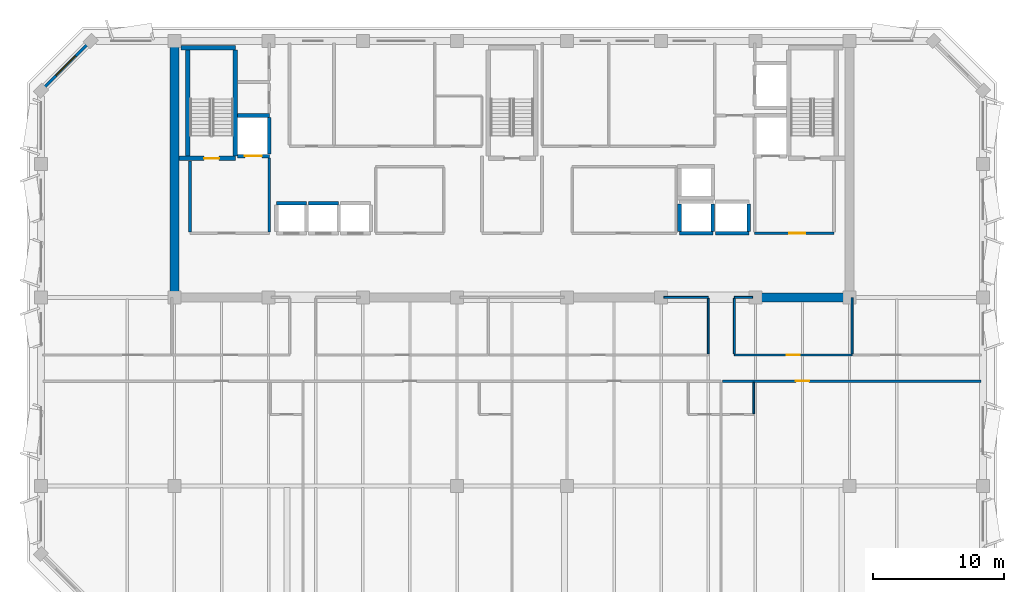
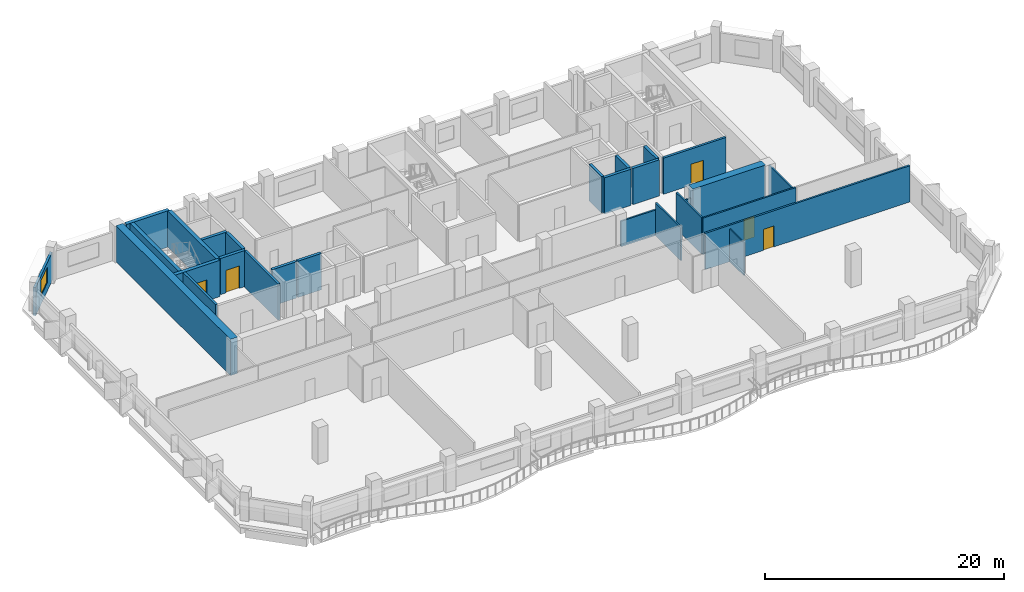
# One storey, part 5 of 11: 28 walls, 5 doors, 1 window, 6 openings.
"""IFC4 building model written with IfcOpenShell, lengths in metres."""

from ifc_helpers import new_model, si_unit, direction, frame, frame_2d, origin, place, context, subcontext, project, spatial, rectangle, extrude, material, layer, layer_set, type_object, element, fill, save


model = new_model("IFC4")

# Units and contexts
model_context = context("Model", 3, precision=1e-05, world=origin(), true_north=direction((0.0, 1.0)))
body_context = subcontext(model_context, "Body", "Model", "MODEL_VIEW")
ifc_project = project(units=[si_unit("LENGTHUNIT", "METRE"), si_unit("AREAUNIT", "SQUARE_METRE"), si_unit("VOLUMEUNIT", "CUBIC_METRE"), si_unit("PLANEANGLEUNIT", "RADIAN"), si_unit("MASSUNIT", "GRAM", prefix="KILO")], contexts=[model_context])

# Site, building, storey
site_placement = place(None, origin())
site = spatial("IfcSite", under=ifc_project, at=site_placement, CompositionType="ELEMENT")
building_placement = place(site_placement, origin())
building = spatial("IfcBuilding", under=site, at=building_placement, Name="Kaelvorn Grand Hotel", CompositionType="ELEMENT")
storey_placement = place(building_placement, frame((0.0, 0.0, 268.64990234375)))
storey = spatial("IfcBuildingStorey", under=building, at=storey_placement, Name="L66", CompositionType="ELEMENT", Elevation=268.64990234375)

# Walls
ifc_material_1 = material(Name="Concrete C50/60", Category="concrete")
ifc_layer_1 = layer(ifc_material_1, 0.699951171875)
ifc_layer_set_1 = layer_set([ifc_layer_1], Name="Concrete C50/60")
wall_type_1 = type_object("IfcWallType", Name="WL-CORE-700-C50", PredefinedType="SHEAR", material=ifc_layer_set_1)
wall_1_placement = place(storey_placement, frame((16.199951171875, 29.39990234375, 0.0), z_axis=(0.0, 0.0, 1.0), x_axis=(0.0, 1.0, 0.0)))
element("IfcWall", 1, at=wall_1_placement, inside=storey, type_object=wall_type_1, Name="L66 Rear-Core West Shear Wall", PredefinedType="SHEAR", context=body_context, shape_type="SweptSolid", body=[
    extrude(rectangle(XDim=19.2001953125, YDim=0.699951171875, at=frame_2d((9.60009765625, 0.0))), origin(), (0.0, 0.0, 1.0), 3.710205078125),
])
wall_2_placement = place(storey_placement, frame((60.39990234375, 29.39990234375, 0.0), z_axis=(0.0, 0.0, 1.0), x_axis=(1.0, 0.0, 0.0)))
element("IfcWall", 2, at=wall_2_placement, inside=storey, type_object=wall_type_1, Name="L66 Rear-Core Coupled Shear Pier S4", PredefinedType="SHEAR", context=body_context, shape_type="SweptSolid", body=[
    extrude(rectangle(XDim=7.045166015625, YDim=0.699951171875, at=frame_2d((3.5224609375, 0.0))), origin(), (0.0, 0.0, 1.0), 3.710205078125),
])

# Wall, opening, window
ifc_material_2 = material(Name="Concrete C40/50", Category="concrete")
ifc_layer_2 = layer(ifc_material_2, 0.219970703125)
ifc_layer_set_2 = layer_set([ifc_layer_2], Name="Concrete C40/50")
wall_type_2 = type_object("IfcWallType", Name="WL-EXT-220-C40", PredefinedType="SOLIDWALL", material=ifc_layer_set_2)
wall_3_placement = place(storey_placement, frame((9.800048828125, 49.0, 0.0), z_axis=(0.0, 0.0, 1.0), x_axis=(-0.707106781187, -0.707106781187, 0.0)))
wall_3 = element("IfcWall", 3, at=wall_3_placement, inside=storey, type_object=wall_type_2, Name="L66 Exterior Architectural Concrete Wall 06", PredefinedType="SOLIDWALL", context=body_context, shape_type="SweptSolid", body=[
    extrude(rectangle(XDim=5.3740234375, YDim=0.219970703125, at=frame_2d((2.68701171875, 0.0))), origin(), (0.0, 0.0, 1.0), 2.91015625),
])
opening_1_placement = place(wall_3_placement, frame((1.636962890625, 0.0, 0.85009765625)))
opening_1 = element("IfcOpeningElement", 4, at=opening_1_placement, cuts=wall_3, Name="Opening W7", PredefinedType="OPENING", context=body_context, shape_type="SweptSolid", body=[
    extrude(rectangle(XDim=2.10009765625, YDim=1.60009765625, at=frame_2d((1.050048828125, 0.800048828125))), frame((0.0, 0.1201171875, 0.0), z_axis=(0.0, -1.0, 0.0), x_axis=(1.0, 0.0, 0.0)), (0.0, 0.0, 1.0), 0.239990234375),
])
ifc_material_3 = material(Name="Laminated Low-E Glass", Category="glass")
window_type = type_object("IfcWindowType", Name="WIN-CHM-2100x1600", PartitioningType="SINGLE_PANEL", PredefinedType="WINDOW", material=ifc_material_3)
window_placement = place(opening_1_placement, origin())
window = element("IfcWindow", 5, at=window_placement, inside=storey, type_object=window_type, Name="L66 Chamfered 45-Degree Corner Window NW", OverallHeight=1.60009765625, OverallWidth=2.10009765625, PartitioningType="SINGLE_PANEL", PredefinedType="WINDOW", context=body_context, shape_type="SweptSolid", body=[
    extrude(rectangle(XDim=2.10009765625, YDim=1.60009765625, at=frame_2d((1.050048828125, 0.800048828125))), frame((0.0, 0.030029296875, 0.0), z_axis=(0.0, -1.0, 0.0), x_axis=(1.0, 0.0, 0.0)), (0.0, 0.0, 1.0), 0.06005859375),
])
fill(opening_1, window)

# Walls
ifc_material_4 = material(Name="Moisture-Resistant Tile & Stud Board")
ifc_layer_3 = layer(ifc_material_4, 0.125)
ifc_layer_set_3 = layer_set([ifc_layer_3], Name="Moisture-Resistant Tile & Stud Board")
wall_type_3 = type_object("IfcWallType", Name="WL-PART-125-WET", PredefinedType="PARTITIONING", material=ifc_layer_set_3)
wall_4_placement = place(storey_placement, frame((60.47509765625, 20.517578125, 0.0), z_axis=(0.0, 0.0, 1.0), x_axis=(0.0, 1.0, 0.0)))
element("IfcWall", 6, at=wall_4_placement, inside=storey, type_object=wall_type_3, Name="L66 En-suite Bathroom L66-04 E Partition", PredefinedType="PARTITIONING", context=body_context, shape_type="SweptSolid", body=[
    extrude(rectangle(XDim=2.387451171875, YDim=0.125, at=frame_2d((1.19384765625, 0.0))), origin(), (0.0, 0.0, 1.0), 3.35009765625),
])
ifc_material_5 = material(Name="Acoustic Gypsum & Stud Partition")
ifc_layer_4 = layer(ifc_material_5, 0.14990234375)
ifc_layer_set_4 = layer_set([ifc_layer_4], Name="Acoustic Gypsum & Stud Partition")
wall_type_4 = type_object("IfcWallType", Name="WL-PART-150-EI60", PredefinedType="PARTITIONING", material=ifc_layer_set_4)
wall_5_placement = place(storey_placement, frame((53.610107421875, 29.39990234375, 0.0), z_axis=(0.0, 0.0, 1.0), x_axis=(1.0, 0.0, 0.0)))
element("IfcWall", 7, at=wall_5_placement, inside=storey, type_object=wall_type_4, Name="L66 Diplomatic Living Room N Partition (2)", PredefinedType="PARTITIONING", context=body_context, shape_type="SweptSolid", body=[
    extrude(rectangle(XDim=3.389892578125, YDim=0.14990234375, at=frame_2d((1.69482421875, 0.0))), origin(), (0.0, 0.0, 1.0), 2.610107421875),
])
wall_6_placement = place(storey_placement, frame((57.0, 25.080078125, 0.0), z_axis=(0.0, 0.0, 1.0), x_axis=(0.0, 1.0, 0.0)))
element("IfcWall", 8, at=wall_6_placement, inside=storey, type_object=wall_type_4, Name="L66 Diplomatic Living Room E Partition", PredefinedType="PARTITIONING", context=body_context, shape_type="SweptSolid", body=[
    extrude(rectangle(XDim=4.239990234375, YDim=0.14990234375, at=frame_2d((2.1201171875, 0.0))), origin(), (0.0, 0.0, 1.0), 3.35009765625),
])

# Wall, opening, door
wall_7_placement = place(storey_placement, frame((59.0, 25.0, 0.0), z_axis=(0.0, 0.0, 1.0), x_axis=(1.0, 0.0, 0.0)))
wall_7 = element("IfcWall", 9, at=wall_7_placement, inside=storey, type_object=wall_type_4, Name="L66 Executive Meeting Room S Partition", PredefinedType="PARTITIONING", context=body_context, shape_type="SweptSolid", body=[
    extrude(rectangle(XDim=9.0, YDim=0.14990234375, at=frame_2d((4.5, 0.0))), origin(), (0.0, 0.0, 1.0), 3.710205078125),
])
opening_2_placement = place(wall_7_placement, frame((4.0, 0.0, 0.0)))
opening_2 = element("IfcOpeningElement", 10, at=opening_2_placement, cuts=wall_7, Name="Opening DI3", PredefinedType="OPENING", context=body_context, shape_type="SweptSolid", body=[
    extrude(rectangle(XDim=1.0, YDim=2.14990234375, at=frame_2d((0.5, 1.074951171875))), frame((0.0, 0.0849609375, 0.0), z_axis=(0.0, -1.0, 0.0), x_axis=(1.0, 0.0, 0.0)), (0.0, 0.0, 1.0), 0.169921875),
])
ifc_material_6 = material(Name="Timber Veneer Fire Leaf", Category="wood")
door_type_1 = type_object("IfcDoorType", Name="DR-INT-GUEST-1000x2150", OperationType="NOTDEFINED", PredefinedType="DOOR", material=ifc_material_6)
door_1_placement = place(opening_2_placement, origin())
door_1 = element("IfcDoor", 11, at=door_1_placement, inside=storey, type_object=door_type_1, Name="L66 Executive Meeting Room Door", OperationType="SINGLE_SWING_LEFT", OverallHeight=2.14990234375, OverallWidth=1.0, PredefinedType="DOOR", context=body_context, shape_type="SweptSolid", body=[
    extrude(rectangle(XDim=1.0, YDim=2.14990234375, at=frame_2d((0.5, 1.074951171875))), frame((0.0, 0.02490234375, 0.0), z_axis=(0.0, -1.0, 0.0), x_axis=(1.0, 0.0, 0.0)), (0.0, 0.0, 1.0), 0.050048828125),
])
fill(opening_2, door_1)

# Walls
wall_8_placement = place(storey_placement, frame((59.0, 29.39990234375, 0.0), z_axis=(0.0, 0.0, 1.0), x_axis=(1.0, 0.0, 0.0)))
element("IfcWall", 12, at=wall_8_placement, inside=storey, type_object=wall_type_4, Name="L66 Executive Meeting Room N Partition", PredefinedType="PARTITIONING", context=body_context, shape_type="SweptSolid", body=[
    extrude(rectangle(XDim=1.389892578125, YDim=0.14990234375, at=frame_2d((0.69482421875, 0.0))), origin(), (0.0, 0.0, 1.0), 2.610107421875),
])
wall_9_placement = place(storey_placement, frame((59.0, 25.080078125, 0.0), z_axis=(0.0, 0.0, 1.0), x_axis=(0.0, 1.0, 0.0)))
element("IfcWall", 13, at=wall_9_placement, inside=storey, type_object=wall_type_4, Name="L66 Executive Meeting Room W Partition", PredefinedType="PARTITIONING", context=body_context, shape_type="SweptSolid", body=[
    extrude(rectangle(XDim=4.239990234375, YDim=0.14990234375, at=frame_2d((2.1201171875, 0.0))), origin(), (0.0, 0.0, 1.0), 3.710205078125),
])
wall_10_placement = place(storey_placement, frame((68.0, 25.080078125, 0.0), z_axis=(0.0, 0.0, 1.0), x_axis=(0.0, 1.0, 0.0)))
element("IfcWall", 14, at=wall_10_placement, inside=storey, type_object=wall_type_4, Name="L66 Executive Meeting Room E Partition", PredefinedType="PARTITIONING", context=body_context, shape_type="SweptSolid", body=[
    extrude(rectangle(XDim=4.309814453125, YDim=0.14990234375, at=frame_2d((2.15478515625, 0.0))), origin(), (0.0, 0.0, 1.0), 3.35009765625),
])

# Wall, opening, door
ifc_layer_5 = layer(ifc_material_5, 0.179931640625)
ifc_layer_set_5 = layer_set([ifc_layer_5], Name="Acoustic Gypsum & Stud Partition")
wall_type_5 = type_object("IfcWallType", Name="WL-PART-180-EI60", PredefinedType="PARTITIONING", material=ifc_layer_set_5)
wall_11_placement = place(storey_placement, frame((58.070068359375, 23.0, 0.0), z_axis=(0.0, 0.0, 1.0), x_axis=(1.0, 0.0, 0.0)))
wall_11 = element("IfcWall", 15, at=wall_11_placement, inside=storey, type_object=wall_type_5, Name="L66 Presidential Sky Suite L66-04 N Partition", PredefinedType="PARTITIONING", context=body_context, shape_type="SweptSolid", body=[
    extrude(rectangle(XDim=19.780029296875, YDim=0.179931640625, at=frame_2d((9.89013671875, 0.0))), origin(), (0.0, 0.0, 1.0), 3.710205078125),
])
opening_3_placement = place(wall_11_placement, frame((5.6298828125, 0.0, 0.0)))
opening_3 = element("IfcOpeningElement", 16, at=opening_3_placement, cuts=wall_11, Name="Opening DI3", PredefinedType="OPENING", context=body_context, shape_type="SweptSolid", body=[
    extrude(rectangle(XDim=1.0, YDim=2.14990234375, at=frame_2d((0.5, 1.074951171875))), frame((0.0, 0.10009765625, 0.0), z_axis=(0.0, -1.0, 0.0), x_axis=(1.0, 0.0, 0.0)), (0.0, 0.0, 1.0), 0.199951171875),
])
door_2_placement = place(opening_3_placement, origin())
door_2 = element("IfcDoor", 17, at=door_2_placement, inside=storey, type_object=door_type_1, Name="L66 Presidential Sky Suite L66-04 Door", OperationType="SINGLE_SWING_RIGHT", OverallHeight=2.14990234375, OverallWidth=1.0, PredefinedType="DOOR", context=body_context, shape_type="SweptSolid", body=[
    extrude(rectangle(XDim=1.0, YDim=2.14990234375, at=frame_2d((0.5, 1.074951171875))), frame((0.0, 0.02490234375, 0.0), z_axis=(0.0, -1.0, 0.0), x_axis=(1.0, 0.0, 0.0)), (0.0, 0.0, 1.0), 0.050048828125),
])
fill(opening_3, door_2)

# Walls
ifc_layer_6 = layer(ifc_material_2, 0.219970703125)
ifc_layer_set_6 = layer_set([ifc_layer_6], Name="Concrete C40/50")
wall_type_6 = type_object("IfcWallType", Name="WL-PART-220-EI120", PredefinedType="PARTITIONING", material=ifc_layer_set_6)
wall_12_placement = place(storey_placement, frame((17.39990234375, 34.4150390625, 0.0), z_axis=(0.0, 0.0, 1.0), x_axis=(0.0, 1.0, 0.0)))
element("IfcWall", 18, at=wall_12_placement, inside=storey, type_object=wall_type_6, Name="L66 Firefighting Lift Lobby 1 W Partition", PredefinedType="PARTITIONING", context=body_context, shape_type="SweptSolid", body=[
    extrude(rectangle(XDim=5.429931640625, YDim=0.219970703125, at=frame_2d((2.71484375, 0.0))), origin(), (0.0, 0.0, 1.0), 3.710205078125),
])
wall_13_placement = place(storey_placement, frame((23.449951171875, 34.4150390625, 0.0), z_axis=(0.0, 0.0, 1.0), x_axis=(0.0, 1.0, 0.0)))
element("IfcWall", 19, at=wall_13_placement, inside=storey, type_object=wall_type_6, Name="L66 Firefighting Lift Lobby 1 E Partition", PredefinedType="PARTITIONING", context=body_context, shape_type="SweptSolid", body=[
    extrude(rectangle(XDim=5.639892578125, YDim=0.219970703125, at=frame_2d((2.81982421875, 0.0))), origin(), (0.0, 0.0, 1.0), 3.710205078125),
])

# Wall, opening, door
wall_14_placement = place(storey_placement, frame((60.550048828125, 34.300048828125, 0.0), z_axis=(0.0, 0.0, 1.0), x_axis=(1.0, 0.0, 0.0)))
wall_14 = element("IfcWall", 20, at=wall_14_placement, inside=storey, type_object=wall_type_6, Name="L66 Firefighting Lift Lobby 2 S Partition", PredefinedType="PARTITIONING", context=body_context, shape_type="SweptSolid", body=[
    extrude(rectangle(XDim=6.050048828125, YDim=0.219970703125, at=frame_2d((3.02490234375, 0.0))), origin(), (0.0, 0.0, 1.0), 3.710205078125),
])
opening_4_placement = place(wall_14_placement, frame((2.64990234375, 0.0, 0.0)))
opening_4 = element("IfcOpeningElement", 21, at=opening_4_placement, cuts=wall_14, Name="Opening DI2", PredefinedType="OPENING", context=body_context, shape_type="SweptSolid", body=[
    extrude(rectangle(XDim=1.199951171875, YDim=2.14990234375, at=frame_2d((0.60009765625, 1.074951171875))), frame((0.0, 0.1201171875, 0.0), z_axis=(0.0, -1.0, 0.0), x_axis=(1.0, 0.0, 0.0)), (0.0, 0.0, 1.0), 0.239990234375),
])
door_type_2 = type_object("IfcDoorType", Name="DR-INT-FFLOB-1200x2150", OperationType="NOTDEFINED", PredefinedType="DOOR", material=ifc_material_6)
door_3_placement = place(opening_4_placement, origin())
door_3 = element("IfcDoor", 22, at=door_3_placement, inside=storey, type_object=door_type_2, Name="L66 Firefighting Lift Lobby 2 Door", OperationType="SINGLE_SWING_RIGHT", OverallHeight=2.14990234375, OverallWidth=1.199951171875, PredefinedType="DOOR", context=body_context, shape_type="SweptSolid", body=[
    extrude(rectangle(XDim=1.199951171875, YDim=2.14990234375, at=frame_2d((0.60009765625, 1.074951171875))), frame((0.0, 0.02490234375, 0.0), z_axis=(0.0, -1.0, 0.0), x_axis=(1.0, 0.0, 0.0)), (0.0, 0.0, 1.0), 0.050048828125),
])
fill(opening_4, door_3)

# Walls
ifc_layer_7 = layer(ifc_material_1, 0.280029296875)
ifc_layer_set_7 = layer_set([ifc_layer_7], Name="Concrete C50/60")
wall_type_7 = type_object("IfcWallType", Name="WL-SHAFT-280-C50", PredefinedType="SHEAR", material=ifc_layer_set_7)
for number, where, z_axis, x_axis, name in (
    (23, (24.0, 36.60009765625, 0.0), (0.0, 0.0, 1.0), (1.0, 0.0, 0.0), "L66 Lift PL-H1 Shaft North Wall"),
    (24, (26.449951171875, 36.60009765625, 0.0), (0.0, 0.0, 1.0), (1.0, 0.0, 0.0), "L66 Lift PL-H2 Shaft North Wall"),
):
    element("IfcWall", number, at=place(storey_placement, frame(where, z_axis=z_axis, x_axis=x_axis)), inside=storey, type_object=wall_type_7, Name=name, PredefinedType="SHEAR", context=body_context, shape_type="SweptSolid", body=[
        extrude(rectangle(XDim=2.300048828125, YDim=0.280029296875, at=frame_2d((1.14990234375, 0.0))), origin(), (0.0, 0.0, 1.0), 3.710205078125),
    ])
wall_15_placement = place(storey_placement, frame((54.800048828125, 34.300048828125, 0.0), z_axis=(0.0, 0.0, 1.0), x_axis=(1.0, 0.0, 0.0)))
element("IfcWall", 25, at=wall_15_placement, inside=storey, type_object=wall_type_7, Name="L66 Lift OL-1 Shaft South Wall", PredefinedType="SHEAR", context=body_context, shape_type="SweptSolid", body=[
    extrude(rectangle(XDim=2.550048828125, YDim=0.280029296875, at=frame_2d((1.27490234375, 0.0))), origin(), (0.0, 0.0, 1.0), 3.710205078125),
])
for number, where, z_axis, x_axis, name in (
    (26, (54.800048828125, 34.445068359375, 0.0), (0.0, 0.0, 1.0), (0.0, 1.0, 0.0), "L66 Lift OL-1 Shaft West Wall"),
    (27, (57.35009765625, 34.445068359375, 0.0), (0.0, 0.0, 1.0), (0.0, 1.0, 0.0), "L66 Lift OL-1 Shaft East Wall"),
):
    element("IfcWall", number, at=place(storey_placement, frame(where, z_axis=z_axis, x_axis=x_axis)), inside=storey, type_object=wall_type_7, Name=name, PredefinedType="SHEAR", context=body_context, shape_type="SweptSolid", body=[
        extrude(rectangle(XDim=2.10986328125, YDim=0.280029296875, at=frame_2d((1.054931640625, 0.0))), origin(), (0.0, 0.0, 1.0), 3.710205078125),
    ])
wall_16_placement = place(storey_placement, frame((57.550048828125, 34.300048828125, 0.0), z_axis=(0.0, 0.0, 1.0), x_axis=(1.0, 0.0, 0.0)))
element("IfcWall", 28, at=wall_16_placement, inside=storey, type_object=wall_type_7, Name="L66 Lift OL-2 Shaft South Wall", PredefinedType="SHEAR", context=body_context, shape_type="SweptSolid", body=[
    extrude(rectangle(XDim=2.550048828125, YDim=0.280029296875, at=frame_2d((1.27490234375, 0.0))), origin(), (0.0, 0.0, 1.0), 3.710205078125),
])
wall_17_placement = place(storey_placement, frame((60.10009765625, 34.445068359375, 0.0), z_axis=(0.0, 0.0, 1.0), x_axis=(0.0, 1.0, 0.0)))
element("IfcWall", 29, at=wall_17_placement, inside=storey, type_object=wall_type_7, Name="L66 Lift OL-2 Shaft East Wall", PredefinedType="SHEAR", context=body_context, shape_type="SweptSolid", body=[
    extrude(rectangle(XDim=2.10986328125, YDim=0.280029296875, at=frame_2d((1.054931640625, 0.0))), origin(), (0.0, 0.0, 1.0), 3.710205078125),
])

# Wall, opening, door
wall_18_placement = place(storey_placement, frame((21.034912109375, 40.199951171875, 0.0), z_axis=(0.0, 0.0, 1.0), x_axis=(1.0, 0.0, 0.0)))
wall_18 = element("IfcWall", 30, at=wall_18_placement, inside=storey, type_object=wall_type_7, Name="L66 Lift FFL1 Shaft South Wall", PredefinedType="SHEAR", context=body_context, shape_type="SweptSolid", body=[
    extrude(rectangle(XDim=2.4150390625, YDim=0.280029296875, at=frame_2d((1.20751953125, 0.0))), origin(), (0.0, 0.0, 1.0), 3.710205078125),
])
opening_5_placement = place(wall_18_placement, frame((0.5400390625, 0.0, 0.0)))
opening_5 = element("IfcOpeningElement", 31, at=opening_5_placement, cuts=wall_18, Name="Opening LD-FFL1", PredefinedType="OPENING", context=body_context, shape_type="SweptSolid", body=[
    extrude(rectangle(XDim=1.300048828125, YDim=2.300048828125, at=frame_2d((0.64990234375, 1.14990234375))), frame((0.0, 0.14990234375, 0.0), z_axis=(0.0, -1.0, 0.0), x_axis=(1.0, 0.0, 0.0)), (0.0, 0.0, 1.0), 0.300048828125),
])
ifc_material_7 = material(Name="Stainless Steel", Category="steel")
door_type_3 = type_object("IfcDoorType", Name="DR-LIFT-SERV-1300x2300", OperationType="DOUBLE_DOOR_SLIDING", PredefinedType="DOOR", material=ifc_material_7)
door_4_placement = place(opening_5_placement, origin())
door_4 = element("IfcDoor", 32, at=door_4_placement, inside=storey, type_object=door_type_3, Name="L66 Lift FFL1 Sliding Landing Door LD-FFL1", OperationType="DOUBLE_DOOR_SLIDING", OverallHeight=2.300048828125, OverallWidth=1.300048828125, PredefinedType="DOOR", context=body_context, shape_type="SweptSolid", body=[
    extrude(rectangle(XDim=1.300048828125, YDim=2.300048828125, at=frame_2d((0.64990234375, 1.14990234375))), frame((0.0, 0.02490234375, 0.0), z_axis=(0.0, -1.0, 0.0), x_axis=(1.0, 0.0, 0.0)), (0.0, 0.0, 1.0), 0.050048828125),
])
fill(opening_5, door_4)

# Walls
wall_19_placement = place(storey_placement, frame((21.034912109375, 43.300048828125, 0.0), z_axis=(0.0, 0.0, 1.0), x_axis=(1.0, 0.0, 0.0)))
element("IfcWall", 33, at=wall_19_placement, inside=storey, type_object=wall_type_7, Name="L66 Lift FFL1 Shaft North Wall", PredefinedType="SHEAR", context=body_context, shape_type="SweptSolid", body=[
    extrude(rectangle(XDim=2.4150390625, YDim=0.280029296875, at=frame_2d((1.20751953125, 0.0))), origin(), (0.0, 0.0, 1.0), 3.710205078125),
])
wall_20_placement = place(storey_placement, frame((23.449951171875, 40.344970703125, 0.0), z_axis=(0.0, 0.0, 1.0), x_axis=(0.0, 1.0, 0.0)))
element("IfcWall", 34, at=wall_20_placement, inside=storey, type_object=wall_type_7, Name="L66 Lift FFL1 Shaft East Wall", PredefinedType="SHEAR", context=body_context, shape_type="SweptSolid", body=[
    extrude(rectangle(XDim=2.81005859375, YDim=0.280029296875, at=frame_2d((1.405029296875, 0.0))), origin(), (0.0, 0.0, 1.0), 3.710205078125),
])

# Wall, opening, door
ifc_material_8 = material(Name="Concrete C60/75", Category="concrete")
ifc_layer_8 = layer(ifc_material_8, 0.35009765625)
ifc_layer_set_8 = layer_set([ifc_layer_8], Name="Concrete C60/75")
wall_type_8 = type_object("IfcWallType", Name="WL-SHAFT-350-C60", PredefinedType="SHEAR", material=ifc_layer_set_8)
wall_21_placement = place(storey_placement, frame((16.554931640625, 40.02490234375, 0.0), z_axis=(0.0, 0.0, 1.0), x_axis=(1.0, 0.0, 0.0)))
wall_21 = element("IfcWall", 35, at=wall_21_placement, inside=storey, type_object=wall_type_8, Name="L66 ST1 Stair Shaft South Wall", PredefinedType="SHEAR", context=body_context, shape_type="SweptSolid", body=[
    extrude(rectangle(XDim=4.300048828125, YDim=0.35009765625, at=frame_2d((2.14990234375, 0.0))), origin(), (0.0, 0.0, 1.0), 3.710205078125),
])
opening_6_placement = place(wall_21_placement, frame((1.909912109375, 0.0, 0.0)))
opening_6 = element("IfcOpeningElement", 36, at=opening_6_placement, cuts=wall_21, Name="Opening DI1", PredefinedType="OPENING", context=body_context, shape_type="SweptSolid", body=[
    extrude(rectangle(XDim=1.14990234375, YDim=2.14990234375, at=frame_2d((0.574951171875, 1.074951171875))), frame((0.0, 0.18505859375, 0.0), z_axis=(0.0, -1.0, 0.0), x_axis=(1.0, 0.0, 0.0)), (0.0, 0.0, 1.0), 0.3701171875),
])
door_type_4 = type_object("IfcDoorType", Name="DR-INT-STAIR-1150x2150", OperationType="NOTDEFINED", PredefinedType="DOOR", material=ifc_material_6)
door_5_placement = place(opening_6_placement, origin())
door_5 = element("IfcDoor", 37, at=door_5_placement, inside=storey, type_object=door_type_4, Name="L66 ST1 Exit Stair Fire Door", OperationType="SINGLE_SWING_RIGHT", OverallHeight=2.14990234375, OverallWidth=1.14990234375, PredefinedType="DOOR", context=body_context, shape_type="SweptSolid", body=[
    extrude(rectangle(XDim=1.14990234375, YDim=2.14990234375, at=frame_2d((0.574951171875, 1.074951171875))), frame((0.0, 0.02490234375, 0.0), z_axis=(0.0, -1.0, 0.0), x_axis=(1.0, 0.0, 0.0)), (0.0, 0.0, 1.0), 0.050048828125),
])
fill(opening_6, door_5)

# Walls
wall_22_placement = place(storey_placement, frame((16.705078125, 48.47509765625, 0.0), z_axis=(0.0, 0.0, 1.0), x_axis=(1.0, 0.0, 0.0)))
element("IfcWall", 38, at=wall_22_placement, inside=storey, type_object=wall_type_8, Name="L66 ST1 Stair Shaft North Wall", PredefinedType="SHEAR", context=body_context, shape_type="SweptSolid", body=[
    extrude(rectangle(XDim=4.14990234375, YDim=0.35009765625, at=frame_2d((2.074951171875, 0.0))), origin(), (0.0, 0.0, 1.0), 3.710205078125),
])
for number, where, z_axis, x_axis, name in (
    (39, (17.22509765625, 40.205078125, 0.0), (0.0, 0.0, 1.0), (0.0, 1.0, 0.0), "L66 ST1 Stair Shaft West Wall"),
    (40, (20.85498046875, 40.205078125, 0.0), (0.0, 0.0, 1.0), (0.0, 1.0, 0.0), "L66 ST1 Stair Shaft East Wall"),
):
    element("IfcWall", number, at=place(storey_placement, frame(where, z_axis=z_axis, x_axis=x_axis)), inside=storey, type_object=wall_type_8, Name=name, PredefinedType="SHEAR", context=body_context, shape_type="SweptSolid", body=[
        extrude(rectangle(XDim=8.08984375, YDim=0.35009765625, at=frame_2d((4.044921875, 0.0))), origin(), (0.0, 0.0, 1.0), 3.710205078125),
    ])

save(model, "model.ifc")
